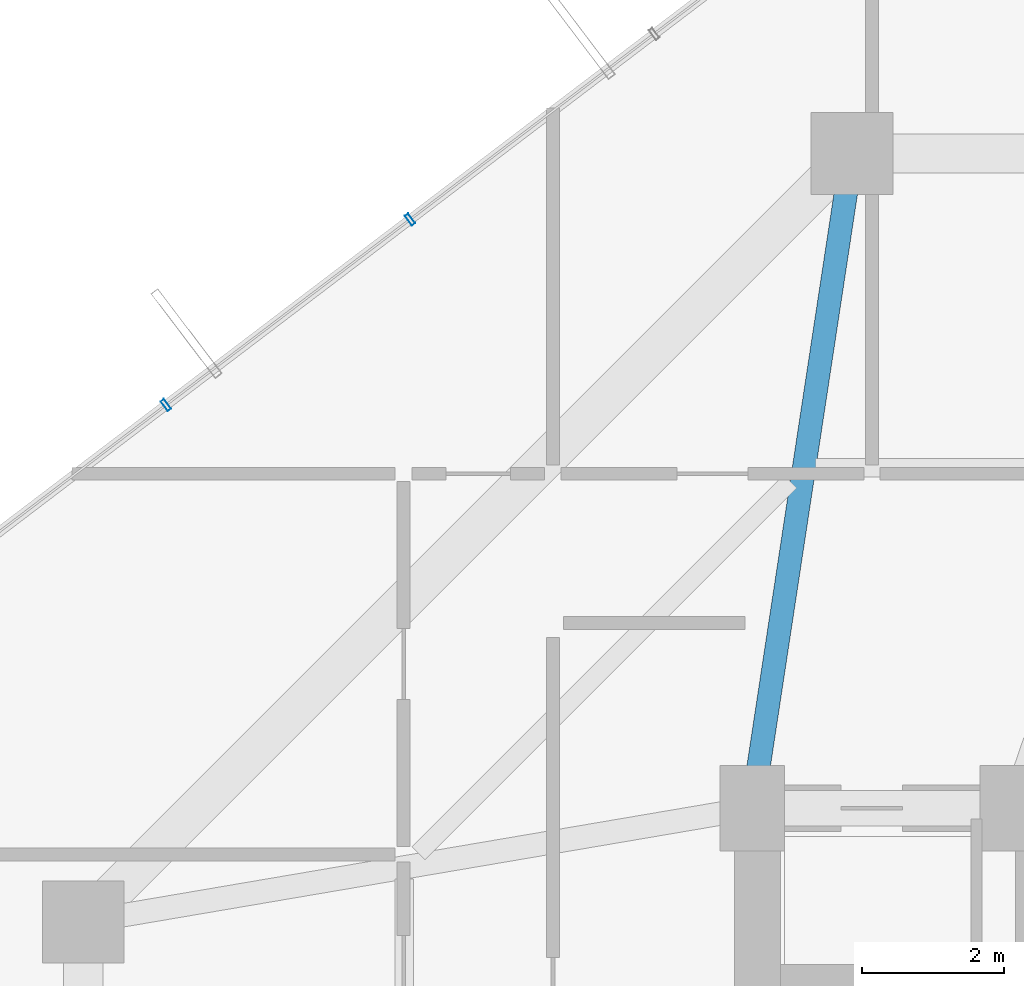
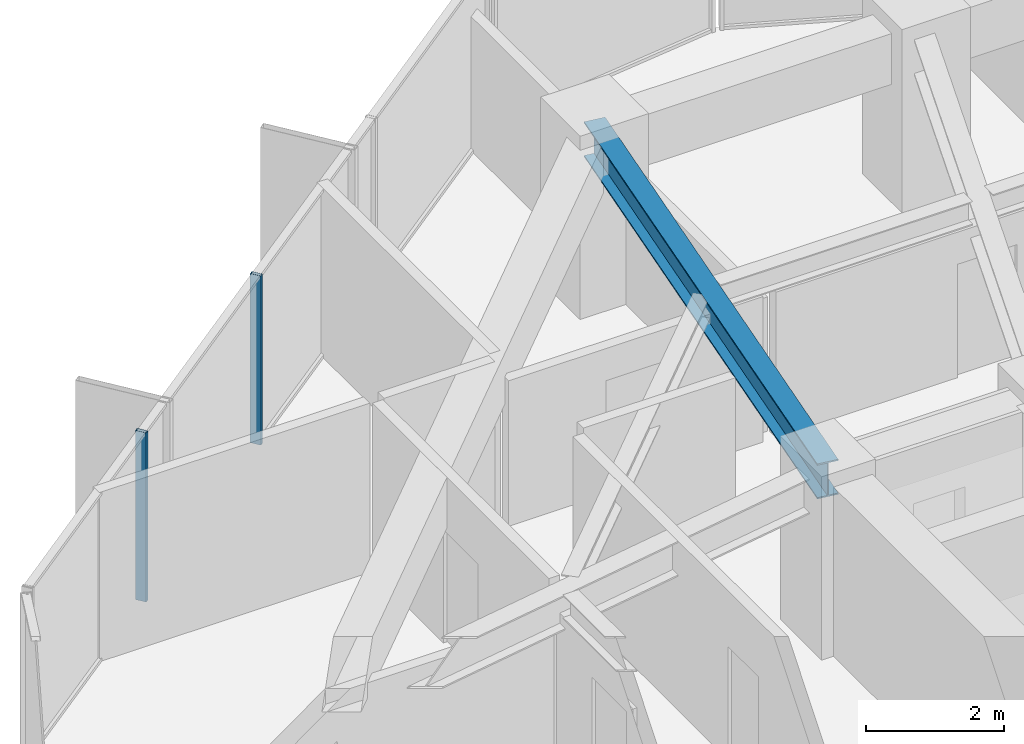
# One storey, part 19 of 33: 2 members, 1 beam, 1 element without a shape of its own.
"""IFC4 building model written with IfcOpenShell, lengths in metres."""

from ifc_helpers import new_model, si_unit, direction, frame, origin, origin_2d, place, context, subcontext, project, spatial, hollow_rectangle, i_section, extrude, source, transform, mapped, material, layer, layer_set, material_profile, profile_set, type_object, element, aggregate, save


model = new_model("IFC4")

# Units and contexts
model_context = context("Model", 3, precision=1e-05, world=origin(), true_north=direction((0.0, 1.0)))
body_context = subcontext(model_context, "Body", "Model", "MODEL_VIEW")
ifc_project = project(units=[si_unit("LENGTHUNIT", "METRE"), si_unit("AREAUNIT", "SQUARE_METRE"), si_unit("VOLUMEUNIT", "CUBIC_METRE"), si_unit("PLANEANGLEUNIT", "RADIAN"), si_unit("MASSUNIT", "GRAM", prefix="KILO")], contexts=[model_context])

# Site, building, storey
site_placement = place(None, origin())
site = spatial("IfcSite", under=ifc_project, at=site_placement, CompositionType="ELEMENT")
building_placement = place(site_placement, origin())
building = spatial("IfcBuilding", under=site, at=building_placement, Name="Veraguas Prism Commons", CompositionType="ELEMENT")
storey_placement = place(building_placement, frame((0.0, 0.0, 152.25)))
storey = spatial("IfcBuildingStorey", under=building, at=storey_placement, Name="L43", CompositionType="ELEMENT", Elevation=152.25)

# Beam
ifc_material_1 = material(Name="Steel ASTM A992 Grade 50", Category="steel")
ifc_material_profile_1 = material_profile(ifc_material_1, i_section(OverallWidth=0.327880859375, OverallDepth=0.6220703125, WebThickness=0.015380859375, FlangeThickness=0.0244140625, at=origin_2d()), Name="W610X195")
ifc_profile_set_1 = profile_set([ifc_material_profile_1], Name="Steel ASTM A992 Grade 50")
beam_type = type_object("IfcBeamType", Name="Zone 2 Radial Girder W610x195", PredefinedType="BEAM", material=ifc_profile_set_1)
beam_placement = place(storey_placement, frame((18.60009765625, 40.199951171875, 2.68896484375), z_axis=(-0.150458162136, -0.98861637729, 0.0), x_axis=(0.98861637729, -0.150458162136, 0.0)))
element("IfcBeam", 1, at=beam_placement, inside=storey, type_object=beam_type, Name="Radial Floor Girder L43-RD06", PredefinedType="BEAM", context=body_context, shape_type="SweptSolid", body=[
    extrude(i_section(OverallWidth=0.327880859375, OverallDepth=0.6220703125, WebThickness=0.015380859375, FlangeThickness=0.0244140625, at=origin_2d()), origin(), (0.0, 0.0, 1.0), 9.305908203125),
])

# Curtain wall, members
ifc_material_2 = material(Name="Anodised aluminium EN AW-6063 T6", Category="aluminium")
ifc_layer = layer(ifc_material_2, 0.169921875, Name="Unitised Flush Curtain Wall Zone 2", Category="aluminium")
ifc_layer_set = layer_set([ifc_layer], Name="Anodised aluminium EN AW-6063 T6")
curtain_wall_type = type_object("IfcCurtainWallType", Name="Unitised Flush Curtain Wall Zone 2", PredefinedType="NOTDEFINED", material=ifc_layer_set)
curtain_wall_placement = place(storey_placement, origin())
curtain_wall = element("IfcCurtainWall", 2, at=curtain_wall_placement, inside=storey, type_object=curtain_wall_type, Name="Tower Facade Curtain Wall L43-F2", PredefinedType="NOTDEFINED")
ifc_material_profile_2 = material_profile(ifc_material_2, hollow_rectangle(XDim=0.06005859375, YDim=0.169921875, WallThickness=0.00390625, at=origin_2d()), Name="AL60X170X4")
ifc_profile_set_2 = profile_set([ifc_material_profile_2], Name="Anodised aluminium EN AW-6063 T6")
member_type = type_object("IfcMemberType", Name="Curtain Wall Mullion Lower AL 60x170x4", PredefinedType="MULLION", material=ifc_profile_set_2)
shared_shape = source(origin(), body_context, "Body", "SweptSolid", [
    extrude(hollow_rectangle(XDim=0.06005859375, YDim=0.169921875, WallThickness=0.00390625, at=origin_2d()), origin(), (0.0, 0.0, 1.0), 3.0),
])
member_1_placement = place(storey_placement, frame((12.3916015625, 39.271240234375, 0.0), z_axis=(0.0, 0.0, 1.0), x_axis=(-0.796104465545, -0.605159218668, 0.0)))
member_1 = element("IfcMember", 3, at=member_1_placement, type_object=member_type, Name="CW-Z2 Mullion 3", PredefinedType="MULLION", context=body_context, shape_type="MappedRepresentation", body=[
    mapped(shared_shape, transform((0.0, 0.0, 0.0), scale=1.0)),
])
member_2_placement = place(storey_placement, frame((8.961669921875, 36.6640625, 0.0), z_axis=(0.0, 0.0, 1.0), x_axis=(-0.796104465545, -0.605159218668, 0.0)))
member_2 = element("IfcMember", 4, at=member_2_placement, type_object=member_type, Name="CW-Z2 Mullion 4", PredefinedType="MULLION", context=body_context, shape_type="MappedRepresentation", body=[
    mapped(shared_shape, transform((0.0, 0.0, 0.0), scale=1.0)),
])
aggregate(curtain_wall, [member_1, member_2])

save(model, "model.ifc")
